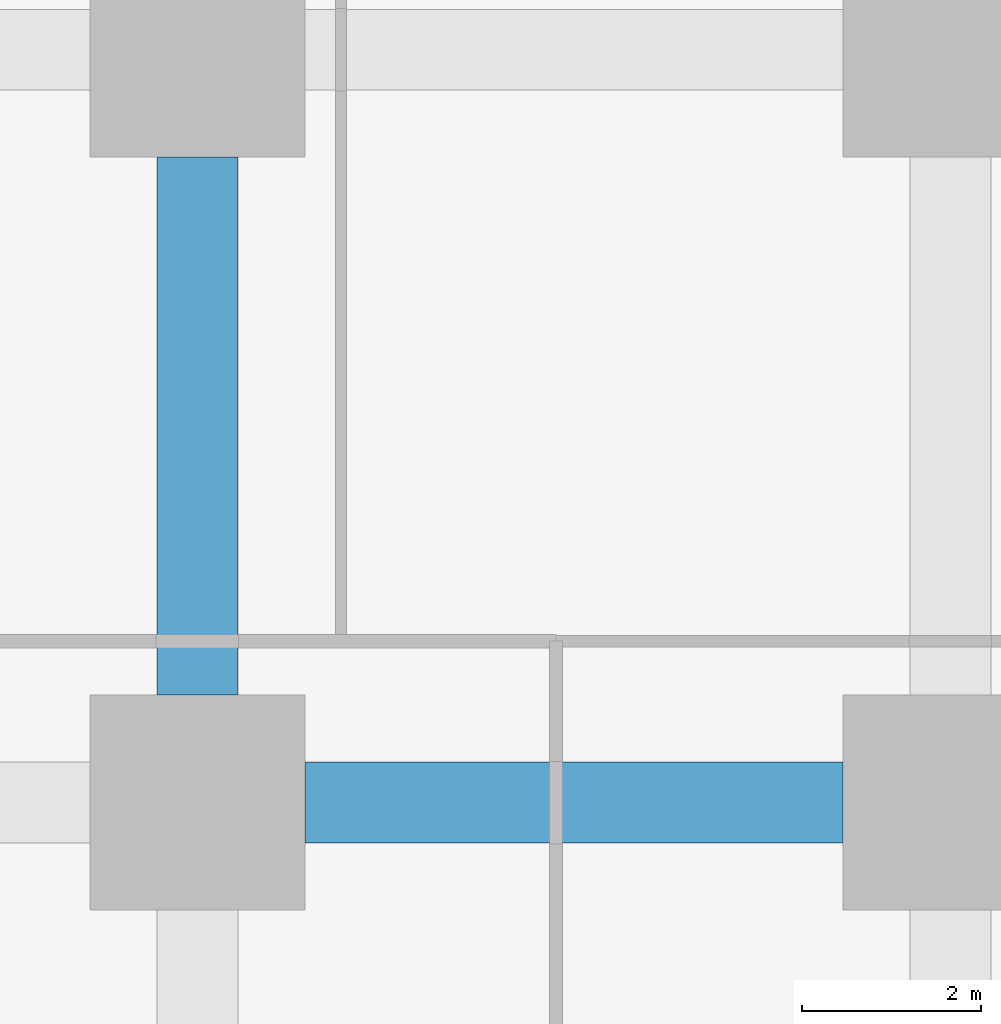
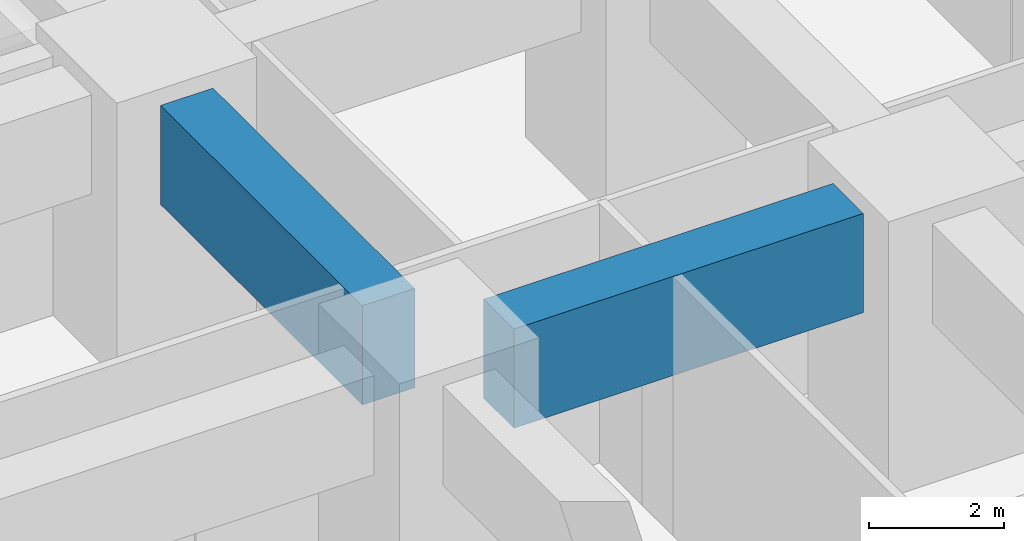
# One storey, part 10 of 49: 2 beams.
"""IFC4 building model written with IfcOpenShell, lengths in metres."""

import ifcopenshell
import ifcopenshell.guid

model = None  # the IFC model being written
_history = None  # IfcOwnerHistory: only IFC2X3 demands one
_inside = {}  # id of a spatial element -> (the spatial element, [elements in it])
_under = {}  # id of a project, library or spatial element -> (it, [spatial elements below it])
_declared = {}  # id of a project -> (the project, [libraries it declares])
_typed = {}  # id of a type object -> (the type object, [elements of that type])
_made_of = {}  # id of a material, layer set ... -> (it, [elements and type objects made of it])


def new_model(schema):
    """Start an empty IFC model of exactly this schema.

    Asked for "IFC4X3", IfcOpenShell would pick the latest addendum, in which some entities
    have other attributes; the version numbers below select the first issue.
    IFC2X3 requires an IfcOwnerHistory on every rooted entity: one is made here for all.
    """
    global model, _history
    if schema == "IFC4X3":
        model = ifcopenshell.file(schema_version=(4, 3, 0, 0))
    else:
        model = ifcopenshell.file(schema=schema)
    _inside.clear()
    _under.clear()
    _declared.clear()
    _typed.clear()
    _made_of.clear()
    _history = None
    if model.schema == "IFC2X3":
        org = make("IfcOrganization", Name="unknown")
        user = make(
            "IfcPersonAndOrganization",
            ThePerson=make("IfcPerson", FamilyName="unknown"),
            TheOrganization=org,
        )
        app = make(
            "IfcApplication",
            ApplicationDeveloper=org,
            Version="unknown",
            ApplicationFullName="unknown",
            ApplicationIdentifier="unknown",
        )
        _history = make(
            "IfcOwnerHistory",
            OwningUser=user,
            OwningApplication=app,
            ChangeAction="ADDED",
            CreationDate=0,
        )
    return model


def make(cls, **values):
    """One entity of the class cls with the attributes given. An attribute that is None is left unset."""
    return model.create_entity(
        cls, **{name: value for name, value in values.items() if value is not None}
    )


def rooted(cls, **values):
    """An entity with a GlobalId (a new one), such as an element, a storey or a relation."""
    return make(cls, GlobalId=ifcopenshell.guid.new(), OwnerHistory=_history, **values)


def si_unit(unit_type, name, prefix=None):
    """IfcSIUnit, for example si_unit("LENGTHUNIT", "METRE", prefix="MILLI")."""
    return make("IfcSIUnit", UnitType=unit_type, Prefix=prefix, Name=name)


def assignment(units):
    """IfcUnitAssignment: the units of a project."""
    return None if units is None else make("IfcUnitAssignment", Units=units)


def point(xyz):
    """IfcCartesianPoint."""
    return None if xyz is None else make("IfcCartesianPoint", Coordinates=xyz)


def direction(xyz):
    """IfcDirection."""
    return None if xyz is None else make("IfcDirection", DirectionRatios=xyz)


def frame(location, z_axis=None, x_axis=None):
    """IfcAxis2Placement3D, a coordinate frame: its origin and axes. An axis left out is left unset."""
    return make(
        "IfcAxis2Placement3D",
        Location=point(location),
        Axis=direction(z_axis),
        RefDirection=direction(x_axis),
    )


def frame_2d(location, x_axis=None):
    """IfcAxis2Placement2D, a coordinate frame in the plane: its origin and x axis."""
    return make(
        "IfcAxis2Placement2D", Location=point(location), RefDirection=direction(x_axis)
    )


def origin():
    """The frame at (0, 0, 0) with its axes left unset."""
    return frame((0.0, 0.0, 0.0))


def origin_2d():
    """The frame at (0, 0) in the plane with its x axis left unset."""
    return frame_2d((0.0, 0.0))


def place(relative_to, where):
    """IfcLocalPlacement: puts the frame where relative to a parent placement (None: the world)."""
    return make(
        "IfcLocalPlacement", PlacementRelTo=relative_to, RelativePlacement=where
    )


def context(
    kind, dimensions, precision=None, world=None, true_north=None, identifier=None
):
    """IfcGeometricRepresentationContext, for example the 3D "Model" context."""
    return make(
        "IfcGeometricRepresentationContext",
        ContextIdentifier=identifier,
        ContextType=kind,
        CoordinateSpaceDimension=dimensions,
        Precision=precision,
        WorldCoordinateSystem=world,
        TrueNorth=true_north,
    )


def subcontext(parent, identifier, kind, view, scale=None):
    """IfcGeometricRepresentationSubContext, for example "Body" below "Model"."""
    return make(
        "IfcGeometricRepresentationSubContext",
        ContextIdentifier=identifier,
        ContextType=kind,
        ParentContext=parent,
        TargetScale=scale,
        TargetView=view,
    )


def project(units=None, contexts=None):
    """IfcProject with its units and contexts."""
    return rooted(
        "IfcProject",
        Name="project",
        RepresentationContexts=contexts,
        UnitsInContext=assignment(units),
    )


def spatial(cls, under=None, at=None, **own):
    """A site, building, storey or space (cls), placed at a placement, below another one or the project."""
    s = rooted(cls, ObjectPlacement=at, **own)
    if under is not None:
        _under.setdefault(under.id(), (under, []))[1].append(s)
    return s


def profile(cls, at=None, kind="AREA", **sizes):
    """A parametric profile (cls). Its sizes go by their IFC names, for example OverallWidth=200.0."""
    return make(cls, ProfileType=kind, Position=at, **sizes)


def rectangle(**sizes):
    """IfcRectangleProfileDef."""
    return profile("IfcRectangleProfileDef", **sizes)


def extrude(swept, where, along, depth):
    """IfcExtrudedAreaSolid: the profile swept, set in the frame where, extruded along a direction by depth."""
    return make(
        "IfcExtrudedAreaSolid",
        SweptArea=swept,
        Position=where,
        ExtrudedDirection=direction(along),
        Depth=depth,
    )


def shape(context_of_items, identifier, shape_type, items):
    """IfcShapeRepresentation: the items that make up one representation, for example the "Body"."""
    return make(
        "IfcShapeRepresentation",
        ContextOfItems=context_of_items,
        RepresentationIdentifier=identifier,
        RepresentationType=shape_type,
        Items=items,
    )


def material(Name=None, Category=None):
    """IfcMaterial."""
    return make("IfcMaterial", Name=Name, Category=Category)


def material_profile(
    of_material, cross_section, Name=None, Category=None, Priority=None
):
    """IfcMaterialProfile: a cross section and its material."""
    return make(
        "IfcMaterialProfile",
        Name=Name,
        Material=of_material,
        Profile=cross_section,
        Priority=Priority,
        Category=Category,
    )


def profile_set(profiles, Name=None, composite=None):
    """IfcMaterialProfileSet."""
    return make(
        "IfcMaterialProfileSet",
        Name=Name,
        MaterialProfiles=profiles,
        CompositeProfile=composite,
    )


def made_of(thing, what):
    """Note that an element or type object is made of a material, layer set ...; save() writes the relation."""
    if what is not None:
        _made_of.setdefault(what.id(), (what, []))[1].append(thing)
    return thing


def type_object(cls, material=None, **own):
    """A type object (cls), such as IfcWallType, which elements share."""
    return made_of(rooted(cls, **own), material)


def element(
    cls,
    number,
    at=None,
    inside=None,
    cuts=None,
    type_object=None,
    material=None,
    context=None,
    identifier="Body",
    shape_type=None,
    held_by="IfcProductDefinitionShape",
    body=None,
    shapes=None,
    **own,
):
    """One element of the class cls, such as IfcWall. Its Tag is "e" and its number.

    at: its placement. inside: the storey or other place that contains it. cuts: it is an
    opening in that element (IfcRelVoidsElement). A single representation is given by context,
    identifier, shape_type and body (its items); several are given by shapes. held_by: the class
    of the entity that holds the representations. save() writes the other relations.
    """
    e = rooted(cls, Tag="e%d" % number, ObjectPlacement=at, **own)
    if body is not None:
        shapes = [shape(context, identifier, shape_type, body)]
    if shapes is not None:
        e.Representation = make(held_by, Representations=shapes)
    if inside is not None:
        _inside.setdefault(inside.id(), (inside, []))[1].append(e)
    if cuts is not None:
        rooted(
            "IfcRelVoidsElement", RelatingBuildingElement=cuts, RelatedOpeningElement=e
        )
    if type_object is not None:
        _typed.setdefault(type_object.id(), (type_object, []))[1].append(e)
    return made_of(e, material)


def aggregate(whole, parts):
    """IfcRelAggregates: a whole, such as a stair, and the parts it consists of."""
    return rooted("IfcRelAggregates", RelatingObject=whole, RelatedObjects=parts)


def save(model, path):
    """Write the relations noted so far, then the file.

    IfcRelAggregates (storeys below a building ...), IfcRelContainedInSpatialStructure (elements
    in a storey), IfcRelDefinesByType, IfcRelAssociatesMaterial and IfcRelDeclares: one each for
    every whole, place, type object, material and project.
    """
    for whole, parts in _under.values():
        aggregate(whole, parts)
    for where, things in _inside.values():
        rooted(
            "IfcRelContainedInSpatialStructure",
            RelatedElements=things,
            RelatingStructure=where,
        )
    for kind, things in _typed.values():
        rooted("IfcRelDefinesByType", RelatedObjects=things, RelatingType=kind)
    for what, things in _made_of.values():
        rooted("IfcRelAssociatesMaterial", RelatedObjects=things, RelatingMaterial=what)
    for by, libraries in _declared.values():
        rooted("IfcRelDeclares", RelatingContext=by, RelatedDefinitions=libraries)
    model.write(path)


model = new_model("IFC4")

# Units and contexts
model_context = context("Model", 3, precision=1e-05, world=origin(), true_north=direction((0.0, 1.0)))
body_context = subcontext(model_context, "Body", "Model", "MODEL_VIEW")
ifc_project = project(units=[si_unit("LENGTHUNIT", "METRE"), si_unit("AREAUNIT", "SQUARE_METRE"), si_unit("VOLUMEUNIT", "CUBIC_METRE"), si_unit("PLANEANGLEUNIT", "RADIAN"), si_unit("MASSUNIT", "GRAM", prefix="KILO")], contexts=[model_context])

# Site, building, storey
site_placement = place(None, origin())
site = spatial("IfcSite", under=ifc_project, at=site_placement, CompositionType="ELEMENT")
building_placement = place(site_placement, origin())
building = spatial("IfcBuilding", under=site, at=building_placement, Name="Rekha Terrace Tower", CompositionType="ELEMENT")
storey_placement = place(building_placement, frame((0.0, 0.0, 5.39990234375)))
storey = spatial("IfcBuildingStorey", under=building, at=storey_placement, Name="L01", CompositionType="ELEMENT", Elevation=5.39990234375)

# Beams
ifc_material = material(Name="Concrete M60", Category="concrete")
ifc_material_profile = material_profile(ifc_material, rectangle(XDim=0.89990234375, YDim=1.800048828125, at=origin_2d()), Name="RC 900x1800")
ifc_profile_set = profile_set([ifc_material_profile], Name="Concrete M60")
beam_type = type_object("IfcBeamType", Name="G1 900x1800 podium floor beam", PredefinedType="BEAM", material=ifc_profile_set)
for number, where, z_axis, x_axis, name in (
    (1, (9.60009765625, 16.800048828125, 3.800048828125), (1.0, 0.0, 0.0), (0.0, 1.0, 0.0), "Beam G1 2C-3C under L02"),
    (2, (8.39990234375, 18.0, 3.800048828125), (0.0, 1.0, 0.0), (-1.0, 0.0, 0.0), "Beam G1 2C-2D under L02"),
):
    element("IfcBeam", number, at=place(storey_placement, frame(where, z_axis=z_axis, x_axis=x_axis)), inside=storey, type_object=beam_type, Name=name, PredefinedType="BEAM", context=body_context, shape_type="SweptSolid", body=[
        extrude(rectangle(XDim=0.89990234375, YDim=1.800048828125, at=origin_2d()), origin(), (0.0, 0.0, 1.0), 6.0),
    ])

save(model, "model.ifc")
